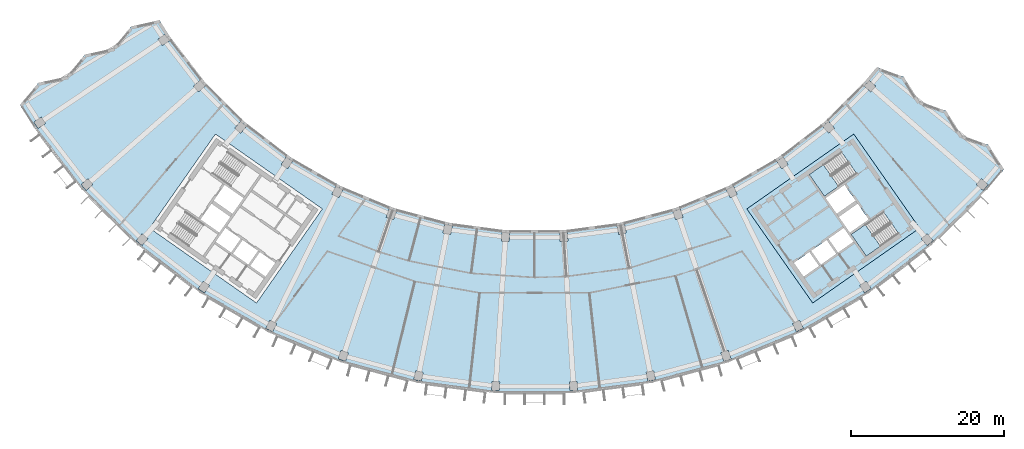
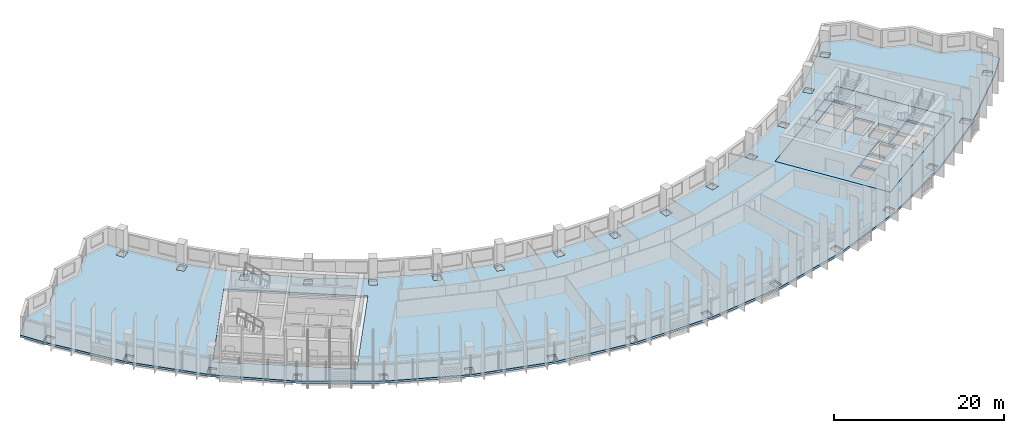
# One storey, part 2 of 28: 4 slabs, 2 elements without a shape of their own.
"""IFC4 building model written with IfcOpenShell, lengths in metres."""

from ifc_helpers import new_model, si_unit, direction, frame, origin, place, context, subcontext, project, spatial, polyline, outline, extrude, material, layer, layer_set, type_object, element, aggregate, save


model = new_model("IFC4")

# Units and contexts
model_context = context("Model", 3, precision=1e-05, world=origin(), true_north=direction((0.0, 1.0)))
body_context = subcontext(model_context, "Body", "Model", "MODEL_VIEW")
ifc_project = project(units=[si_unit("LENGTHUNIT", "METRE"), si_unit("AREAUNIT", "SQUARE_METRE"), si_unit("VOLUMEUNIT", "CUBIC_METRE"), si_unit("PLANEANGLEUNIT", "RADIAN"), si_unit("MASSUNIT", "GRAM", prefix="KILO")], contexts=[model_context])

# Site, building, storey
site_placement = place(None, origin())
site = spatial("IfcSite", under=ifc_project, at=site_placement, CompositionType="ELEMENT")
building_placement = place(site_placement, origin())
building = spatial("IfcBuilding", under=site, at=building_placement, Name="Qamariyya Broadcast Tower", CompositionType="ELEMENT")
storey_placement = place(building_placement, frame((0.0, 0.0, 241.699951171875)))
storey = spatial("IfcBuildingStorey", under=building, at=storey_placement, Name="L58", CompositionType="ELEMENT", Elevation=241.699951171875)

# Slabs
ifc_material_1 = material(Name="Concrete C40/50", Category="concrete")
ifc_layer_1 = layer(ifc_material_1, 0.300048828125)
ifc_layer_set_1 = layer_set([ifc_layer_1], Name="Core floor slab 300 mm Concrete C40/50")
slab_type_1 = type_object("IfcSlabType", Name="Core floor slab 300 mm Concrete C40/50", PredefinedType="FLOOR", material=ifc_layer_set_1)
slab_1_placement = place(storey_placement, frame((0.0, 0.0, -0.300048828125)))
element("IfcSlab", 1, at=slab_1_placement, inside=storey, type_object=slab_type_1, Name="k-E-L58-slab", PredefinedType="FLOOR", context=body_context, shape_type="SweptSolid", body=[
    extrude(outline(polyline([(36.32373046875, -66.734375), (50.286376953125, -56.95751953125), (41.6826171875, -44.67041015625), (27.719970703125, -54.447021484375), (36.32373046875, -66.734375)]), holes=[polyline([(33.87353515625, -61.49169921875), (35.88037109375, -60.08642578125), (37.142333984375, -61.888427734375), (35.13525390625, -63.293701171875), (33.87353515625, -61.49169921875)]), polyline([(36.126220703125, -59.914306640625), (38.133056640625, -58.509033203125), (39.394775390625, -60.311279296875), (37.387939453125, -61.716552734375), (36.126220703125, -59.914306640625)]), polyline([(38.378662109375, -58.3369140625), (40.3857421875, -56.931640625), (41.6474609375, -58.73388671875), (39.640625, -60.13916015625), (38.378662109375, -58.3369140625)]), polyline([(39.742431640625, -55.489990234375), (42.199951171875, -53.769287109375), (43.6337890625, -55.817138671875), (41.17626953125, -57.537841796875), (39.742431640625, -55.489990234375)]), polyline([(39.45556640625, -55.080322265625), (41.9130859375, -53.359619140625), (40.47900390625, -51.311767578125), (38.021728515625, -53.032470703125), (39.45556640625, -55.080322265625)]), polyline([(40.082275390625, -47.01171875), (35.870849609375, -49.960693359375), (37.849609375, -52.78662109375), (42.06103515625, -49.837890625), (40.082275390625, -47.01171875)]), polyline([(45.559814453125, -54.834716796875), (41.348388671875, -57.783447265625), (43.3271484375, -60.609619140625), (47.538818359375, -57.66064453125), (45.559814453125, -54.834716796875)])]), origin(), (0.0, 0.0, 1.0), 0.300048828125),
])
ifc_layer_2 = layer(ifc_material_1, 0.300048828125)
ifc_layer_set_2 = layer_set([ifc_layer_2], Name="Post-tensioned floor slab 300 C40/50")
slab_type_2 = type_object("IfcSlabType", Name="Post-tensioned floor slab 300 C40/50", PredefinedType="FLOOR", material=ifc_layer_set_2)
slab_2_placement = place(storey_placement, frame((0.0, 0.0, -0.300048828125)))
element("IfcSlab", 2, at=slab_2_placement, inside=storey, type_object=slab_type_2, Name="Floor slab S4 L58", PredefinedType="FLOOR", context=body_context, shape_type="SweptSolid", body=[
    extrude(outline(polyline([(-64.794189453125, -37.969970703125), (-67.213134765625, -40.843994140625), (-65.39501953125, -43.695556640625), (-59.132080078125, -51.857666015625), (-51.857666015625, -59.132080078125), (-43.695556640625, -65.39501953125), (-34.785888671875, -70.5390625), (-25.28125, -74.47607421875), (-15.34375, -77.138671875), (-5.14404296875, -78.481689453125), (5.14404296875, -78.481689453125), (15.34375, -77.138671875), (25.28125, -74.47607421875), (34.785888671875, -70.5390625), (43.695556640625, -65.39501953125), (51.857666015625, -59.132080078125), (59.132080078125, -51.857666015625), (61.306884765625, -49.267578125), (59.283935546875, -46.102294921875), (55.7724609375, -44.820068359375), (53.748779296875, -41.654296875), (50.238037109375, -40.37255859375), (48.21337890625, -37.2060546875), (44.70361328125, -35.9248046875), (43.117919921875, -37.8134765625), (37.8134765625, -43.117919921875), (31.862060546875, -47.684814453125), (25.365234375, -51.435546875), (18.4345703125, -54.306396484375), (11.1884765625, -56.248046875), (3.7509765625, -57.227294921875), (-3.7509765625, -57.227294921875), (-11.1884765625, -56.248046875), (-18.4345703125, -54.306396484375), (-25.365234375, -51.435546875), (-31.862060546875, -47.684814453125), (-37.8134765625, -43.117919921875), (-43.117919921875, -37.8134765625), (-47.684814453125, -31.862060546875), (-49.010498046875, -29.782470703125), (-52.6572265625, -30.594482421875), (-55.077880859375, -33.4697265625), (-58.725830078125, -34.2822265625), (-61.1455078125, -37.15673828125), (-64.794189453125, -37.969970703125)]), holes=[polyline([(-5.62158203125, -78.12451171875), (-5.54638671875, -76.97705078125), (-4.548583984375, -77.04248046875), (-4.623779296875, -78.18994140625), (-5.62158203125, -78.12451171875)]), polyline([(-15.770751953125, -76.722412109375), (-15.54638671875, -75.594482421875), (-14.565673828125, -75.78955078125), (-14.7900390625, -76.91748046875), (-15.770751953125, -76.722412109375)]), polyline([(-25.650146484375, -74.007568359375), (-25.280517578125, -72.918701171875), (-24.333740234375, -73.239990234375), (-24.703369140625, -74.3291015625), (-25.650146484375, -74.007568359375)]), polyline([(-35.090576171875, -70.0263671875), (-34.58203125, -68.9951171875), (-33.685302734375, -69.437255859375), (-34.19384765625, -70.46875), (-35.090576171875, -70.0263671875)]), polyline([(-43.9306640625, -64.84716796875), (-43.291748046875, -63.890869140625), (-42.46044921875, -64.446533203125), (-43.099365234375, -65.402587890625), (-43.9306640625, -64.84716796875)]), polyline([(-52.019287109375, -58.55810546875), (-51.260986328125, -57.693603515625), (-50.509033203125, -58.35302734375), (-51.267333984375, -59.217529296875), (-52.019287109375, -58.55810546875)]), polyline([(-11.966552734375, -57.59716796875), (-11.7421875, -56.46923828125), (-10.761474609375, -56.664306640625), (-10.98583984375, -57.792236328125), (-11.966552734375, -57.59716796875)]), polyline([(-50.286376953125, -56.95751953125), (-41.6826171875, -44.67041015625), (-27.719970703125, -54.447021484375), (-36.32373046875, -66.734375), (-50.286376953125, -56.95751953125)]), polyline([(-19.382080078125, -55.54248046875), (-19.012451171875, -54.453369140625), (-18.065673828125, -54.77490234375), (-18.435302734375, -55.86376953125), (-19.382080078125, -55.54248046875)]), polyline([(-26.466064453125, -52.537353515625), (-25.95751953125, -51.506103515625), (-25.060546875, -51.9482421875), (-25.569091796875, -52.979736328125), (-26.466064453125, -52.537353515625)]), polyline([(-59.217529296875, -51.267333984375), (-58.35302734375, -50.509033203125), (-57.693603515625, -51.260986328125), (-58.55810546875, -52.019287109375), (-59.217529296875, -51.267333984375)]), polyline([(-33.09716796875, -48.63330078125), (-32.458251953125, -47.67724609375), (-31.626708984375, -48.23291015625), (-32.265625, -49.18896484375), (-33.09716796875, -48.63330078125)]), polyline([(-39.161865234375, -43.897216796875), (-38.40380859375, -43.03271484375), (-37.65185546875, -43.692138671875), (-38.41015625, -44.556640625), (-39.161865234375, -43.897216796875)]), polyline([(-65.402587890625, -43.099365234375), (-64.446533203125, -42.46044921875), (-63.890869140625, -43.291748046875), (-64.84716796875, -43.9306640625), (-65.402587890625, -43.099365234375)]), polyline([(-44.556640625, -38.41015625), (-43.692138671875, -37.65185546875), (-43.03271484375, -38.40380859375), (-43.897216796875, -39.161865234375), (-44.556640625, -38.41015625)]), polyline([(-49.18896484375, -32.265625), (-48.23291015625, -31.626708984375), (-47.67724609375, -32.458251953125), (-48.63330078125, -33.09716796875), (-49.18896484375, -32.265625)]), polyline([(4.623779296875, -78.18994140625), (4.548583984375, -77.04248046875), (5.54638671875, -76.97705078125), (5.62158203125, -78.12451171875), (4.623779296875, -78.18994140625)]), polyline([(14.7900390625, -76.91748046875), (14.565673828125, -75.78955078125), (15.54638671875, -75.594482421875), (15.770751953125, -76.722412109375), (14.7900390625, -76.91748046875)]), polyline([(24.703369140625, -74.3291015625), (24.333740234375, -73.239990234375), (25.280517578125, -72.918701171875), (25.650146484375, -74.007568359375), (24.703369140625, -74.3291015625)]), polyline([(34.19384765625, -70.46875), (33.685302734375, -69.437255859375), (34.58203125, -68.9951171875), (35.090576171875, -70.0263671875), (34.19384765625, -70.46875)]), polyline([(43.099365234375, -65.402587890625), (42.46044921875, -64.446533203125), (43.291748046875, -63.890869140625), (43.9306640625, -64.84716796875), (43.099365234375, -65.402587890625)]), polyline([(51.267333984375, -59.217529296875), (50.509033203125, -58.35302734375), (51.260986328125, -57.693603515625), (52.019287109375, -58.55810546875), (51.267333984375, -59.217529296875)]), polyline([(-4.34619140625, -58.666259765625), (-4.27099609375, -57.518798828125), (-3.273193359375, -57.584228515625), (-3.348388671875, -58.731689453125), (-4.34619140625, -58.666259765625)]), polyline([(3.348388671875, -58.731689453125), (3.273193359375, -57.584228515625), (4.27099609375, -57.518798828125), (4.34619140625, -58.666259765625), (3.348388671875, -58.731689453125)]), polyline([(10.98583984375, -57.792236328125), (10.761474609375, -56.664306640625), (11.7421875, -56.46923828125), (11.966552734375, -57.59716796875), (10.98583984375, -57.792236328125)]), polyline([(36.32373046875, -66.734375), (27.719970703125, -54.447021484375), (41.6826171875, -44.67041015625), (50.286376953125, -56.95751953125), (36.32373046875, -66.734375)]), polyline([(18.435302734375, -55.86376953125), (18.065673828125, -54.77490234375), (19.012451171875, -54.453369140625), (19.382080078125, -55.54248046875), (18.435302734375, -55.86376953125)]), polyline([(25.569091796875, -52.979736328125), (25.060546875, -51.9482421875), (25.95751953125, -51.506103515625), (26.466064453125, -52.537353515625), (25.569091796875, -52.979736328125)]), polyline([(58.55810546875, -52.019287109375), (57.693603515625, -51.260986328125), (58.35302734375, -50.509033203125), (59.217529296875, -51.267333984375), (58.55810546875, -52.019287109375)]), polyline([(32.265625, -49.18896484375), (31.626708984375, -48.23291015625), (32.458251953125, -47.67724609375), (33.09716796875, -48.63330078125), (32.265625, -49.18896484375)]), polyline([(38.41015625, -44.556640625), (37.65185546875, -43.692138671875), (38.40380859375, -43.03271484375), (39.161865234375, -43.897216796875), (38.41015625, -44.556640625)]), polyline([(43.897216796875, -39.161865234375), (43.03271484375, -38.40380859375), (43.692138671875, -37.65185546875), (44.556640625, -38.41015625), (43.897216796875, -39.161865234375)])]), origin(), (0.0, 0.0, 1.0), 0.300048828125),
])

# Stair, slab
ifc_material_2 = material(Name="Concrete C50/60", Category="concrete")
stair_type = type_object("IfcStairType", Name="Exit stair 22 risers of 173 mm", PredefinedType="HALF_TURN_STAIR", material=ifc_material_2)
stair_1_placement = place(storey_placement, origin())
stair_1 = element("IfcStair", 3, at=stair_1_placement, inside=storey, type_object=stair_type, Name="L58 Stair E2", PredefinedType="HALF_TURN_STAIR")
ifc_layer_3 = layer(ifc_material_2, 0.199951171875)
ifc_layer_set_3 = layer_set([ifc_layer_3], Name="Stair landing")
slab_type_3 = type_object("IfcSlabType", Name="Stair landing", PredefinedType="LANDING", material=ifc_layer_set_3)
slab_3_placement = place(storey_placement, frame((0.0, 0.0, 1.699951171875)))
slab_3 = element("IfcSlab", 4, at=slab_3_placement, type_object=slab_type_3, Name="ST-E2 landing 1", PredefinedType="LANDING", context=body_context, shape_type="SweptSolid", body=[
    extrude(outline(polyline([(37.71337890625, -48.67041015625), (35.870849609375, -49.960693359375), (37.849609375, -52.78662109375), (39.692138671875, -51.49658203125), (37.71337890625, -48.67041015625)])), origin(), (0.0, 0.0, 1.0), 0.2001953125),
])
aggregate(stair_1, [slab_3])

stair_2_placement = place(storey_placement, origin())
stair_2 = element("IfcStair", 5, at=stair_2_placement, inside=storey, type_object=stair_type, Name="L58 Stair E1", PredefinedType="HALF_TURN_STAIR")
slab_4_placement = place(storey_placement, frame((0.0, 0.0, 1.699951171875)))
slab_4 = element("IfcSlab", 6, at=slab_4_placement, type_object=slab_type_3, Name="ST-E1 landing 1", PredefinedType="LANDING", context=body_context, shape_type="SweptSolid", body=[
    extrude(outline(polyline([(43.19091796875, -56.493408203125), (41.348388671875, -57.783447265625), (43.3271484375, -60.609619140625), (45.169677734375, -59.319580078125), (43.19091796875, -56.493408203125)])), origin(), (0.0, 0.0, 1.0), 0.2001953125),
])
aggregate(stair_2, [slab_4])

save(model, "model.ifc")
